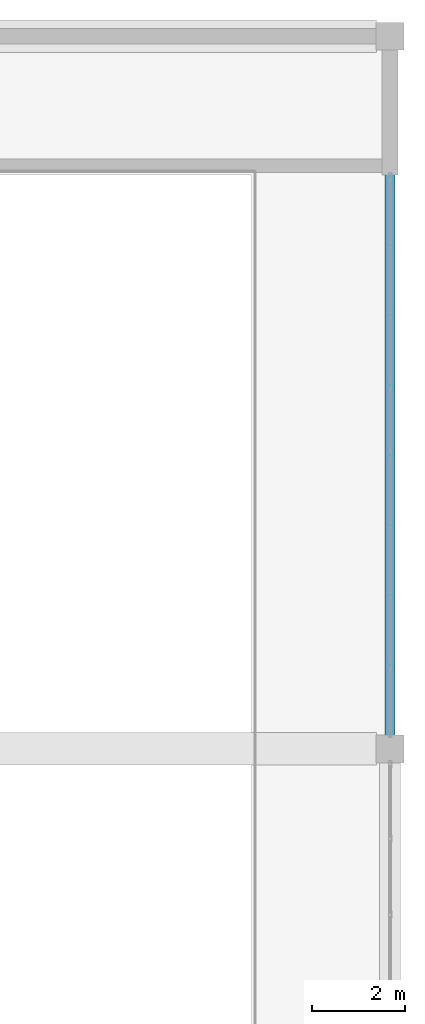
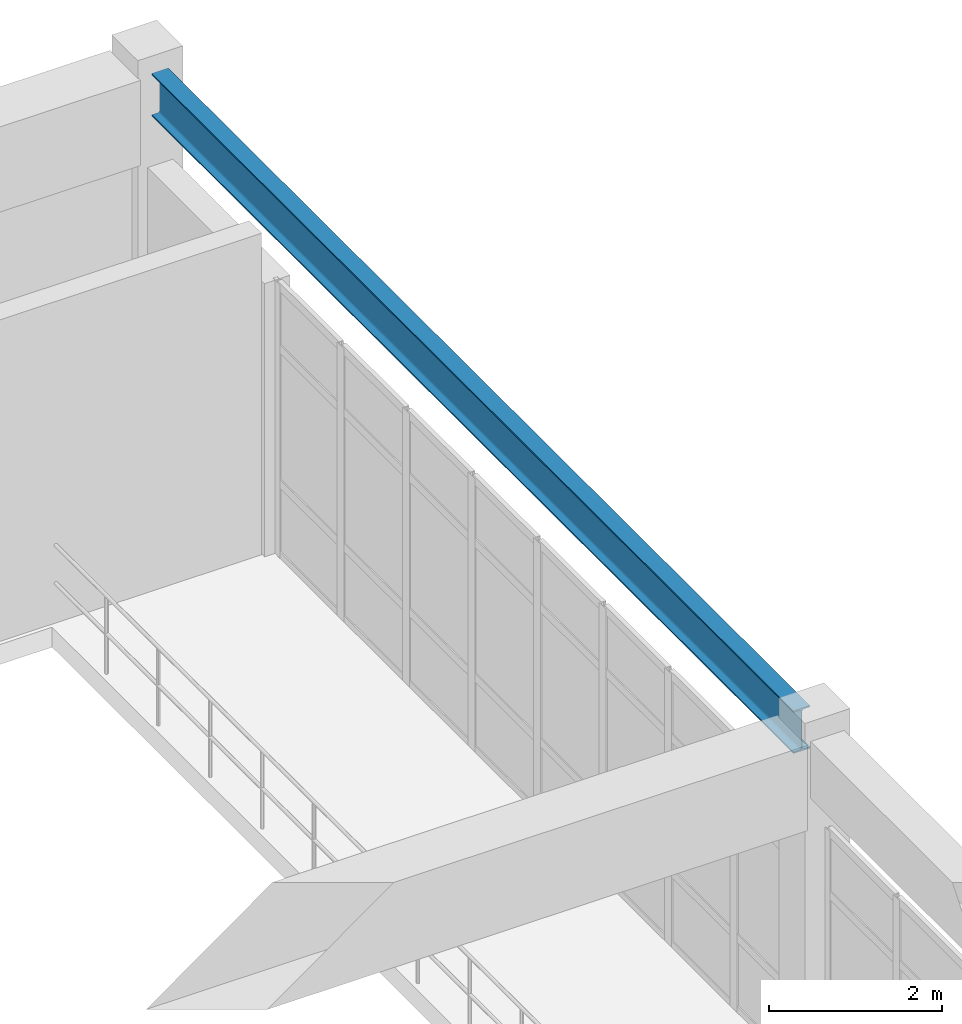
# One storey, part 18 of 38: 1 beam.
"""IFC4 building model written with IfcOpenShell, lengths in metres."""

from ifc_helpers import new_model, si_unit, direction, frame, origin, origin_2d, place, context, subcontext, project, spatial, i_section, extrude, material, material_profile, profile_set, type_object, element, save


model = new_model("IFC4")

# Units and contexts
model_context = context("Model", 3, precision=1e-05, world=origin(), true_north=direction((0.0, 1.0)))
body_context = subcontext(model_context, "Body", "Model", "MODEL_VIEW")
ifc_project = project(units=[si_unit("LENGTHUNIT", "METRE"), si_unit("AREAUNIT", "SQUARE_METRE"), si_unit("VOLUMEUNIT", "CUBIC_METRE"), si_unit("PLANEANGLEUNIT", "RADIAN"), si_unit("MASSUNIT", "GRAM", prefix="KILO")], contexts=[model_context])

# Site, building, storey
site_placement = place(None, origin())
site = spatial("IfcSite", under=ifc_project, at=site_placement, CompositionType="ELEMENT")
building_placement = place(site_placement, origin())
building = spatial("IfcBuilding", under=site, at=building_placement, Name="Muzn Square Opera House", CompositionType="ELEMENT")
storey_placement = place(building_placement, frame((0.0, 0.0, 18.0)))
storey = spatial("IfcBuildingStorey", under=building, at=storey_placement, Name="L04", CompositionType="ELEMENT", Elevation=18.0)

# Beam
ifc_material = material(Name="Steel S355", Category="steel")
ifc_material_profile = material_profile(ifc_material, i_section(OverallWidth=0.219970703125, OverallDepth=0.60009765625, WebThickness=0.011962890625, FlangeThickness=0.01904296875, FilletRadius=0.02392578125, at=origin_2d()), Name="IPE 600", Category="steel")
ifc_profile_set = profile_set([ifc_material_profile], Name="Steel S355")
beam_type = type_object("IfcBeamType", Name="Stage Gallery Beam IPE600", PredefinedType="BEAM", material=ifc_profile_set)
beam_placement = place(storey_placement, frame((170.0, 98.89208984375, 4.85009765625), z_axis=(0.0, 1.0, 0.0), x_axis=(-1.0, 0.0, 0.0)))
element("IfcBeam", 1, at=beam_placement, inside=storey, type_object=beam_type, Name="Primary Girder BM-N114-L04-028", PredefinedType="BEAM", context=body_context, shape_type="SweptSolid", body=[
    extrude(i_section(OverallWidth=0.219970703125, OverallDepth=0.60009765625, WebThickness=0.011962890625, FlangeThickness=0.01904296875, FilletRadius=0.02392578125, at=origin_2d()), origin(), (0.0, 0.0, 1.0), 14.81591796875),
])

save(model, "model.ifc")
